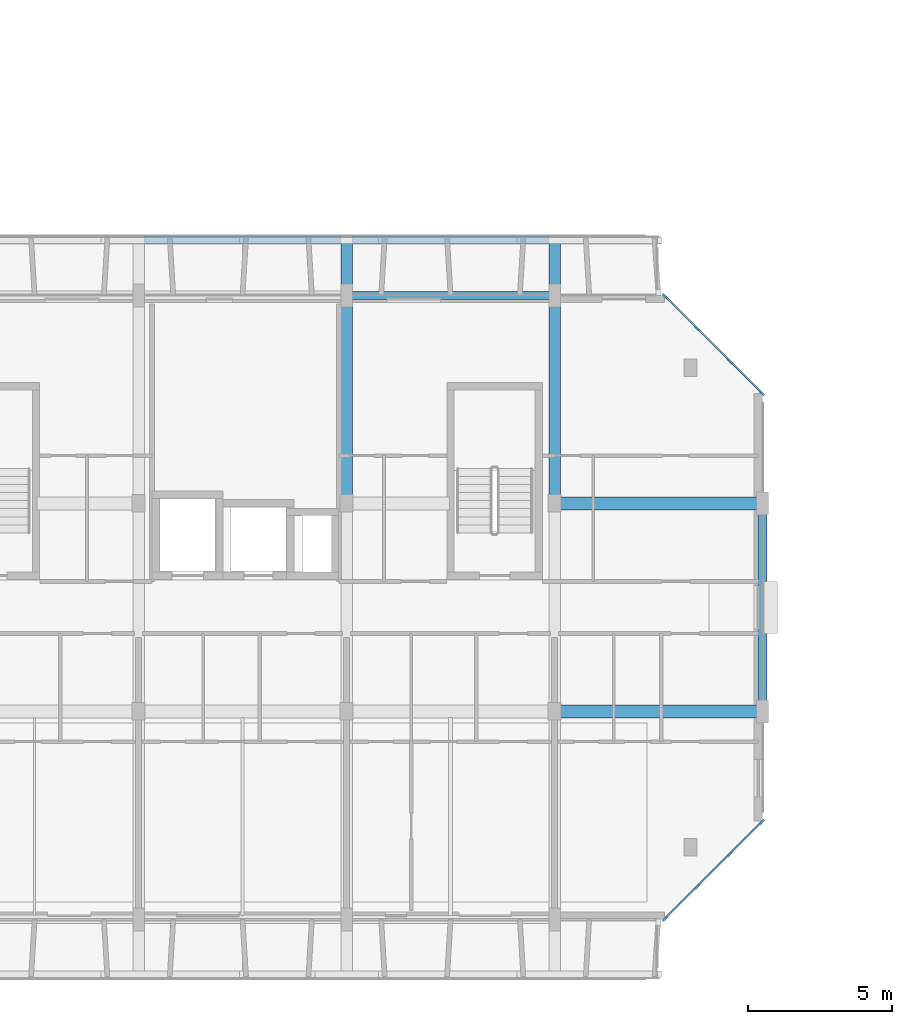
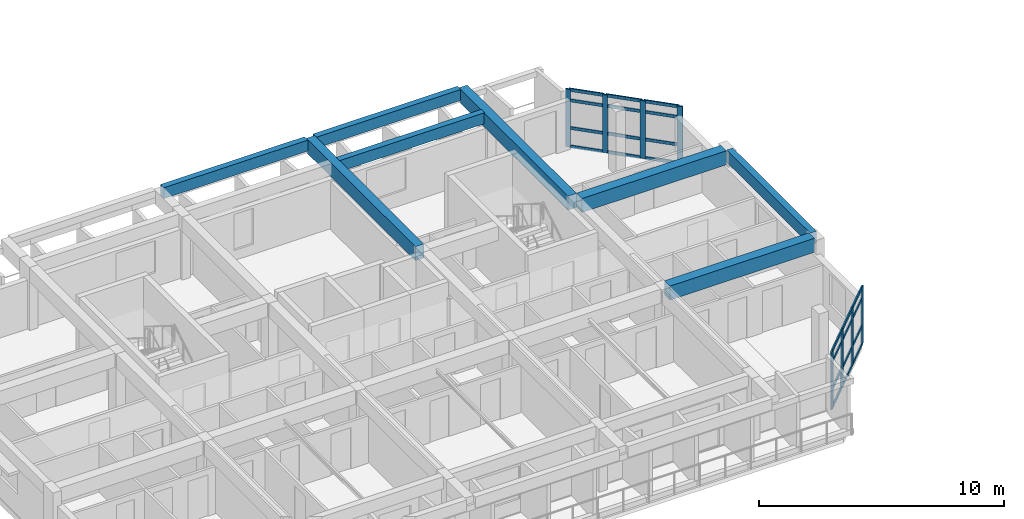
# One storey, part 4 of 46: 32 members, 8 beams, 2 elements without a shape of their own.
"""IFC4 building model written with IfcOpenShell, lengths in metres."""

from ifc_helpers import new_model, si_unit, direction, frame, origin, origin_2d, place, context, subcontext, project, spatial, rectangle, extrude, material, layer, layer_set, material_profile, profile_set, type_object, element, aggregate, save


model = new_model("IFC4")

# Units and contexts
model_context = context("Model", 3, precision=1e-05, world=origin(), true_north=direction((0.0, 1.0)))
body_context = subcontext(model_context, "Body", "Model", "MODEL_VIEW")
ifc_project = project(units=[si_unit("LENGTHUNIT", "METRE"), si_unit("AREAUNIT", "SQUARE_METRE"), si_unit("VOLUMEUNIT", "CUBIC_METRE"), si_unit("PLANEANGLEUNIT", "RADIAN"), si_unit("MASSUNIT", "GRAM", prefix="KILO")], contexts=[model_context])

# Site, building, storey
site_placement = place(None, origin())
site = spatial("IfcSite", under=ifc_project, at=site_placement, CompositionType="ELEMENT")
building_placement = place(site_placement, origin())
building = spatial("IfcBuilding", under=site, at=building_placement, Name="Ochrevale Crest", CompositionType="ELEMENT")
storey_placement = place(building_placement, frame((0.0, 0.0, 24.449951171875)))
storey = spatial("IfcBuildingStorey", under=building, at=storey_placement, Name="L07", CompositionType="ELEMENT", Elevation=24.449951171875)

# Beams
ifc_material_1 = material(Name="Precast concrete C50/60", Category="concrete")
ifc_material_profile_1 = material_profile(ifc_material_1, rectangle(XDim=0.39990234375, YDim=0.699951171875, at=origin_2d()), Name="PC 400x700")
ifc_profile_set_1 = profile_set([ifc_material_profile_1], Name="Precast concrete C50/60")
beam_type_1 = type_object("IfcBeamType", Name="BM-PC400x700", PredefinedType="BEAM", material=ifc_profile_set_1)
for number, where, z_axis, x_axis, name in (
    (1, (21.60009765625, 29.0048828125, 2.800048828125), (0.0, 1.0, 0.0), (-1.0, 0.0, 0.0), "Block A L07 N-S beam X=21.6"),
    (2, (28.800048828125, 29.0048828125, 2.800048828125), (0.0, 1.0, 0.0), (-1.0, 0.0, 0.0), "Block A L07 N-S beam X=28.8"),
):
    element("IfcBeam", number, at=place(storey_placement, frame(where, z_axis=z_axis, x_axis=x_axis)), inside=storey, type_object=beam_type_1, Name=name, PredefinedType="BEAM", context=body_context, shape_type="SweptSolid", body=[
        extrude(rectangle(XDim=0.39990234375, YDim=0.699951171875, at=origin_2d()), origin(), (0.0, 0.0, 1.0), 8.9150390625),
    ])
ifc_material_2 = material(Name="Concrete C50/60", Category="concrete")
ifc_material_profile_2 = material_profile(ifc_material_2, rectangle(XDim=0.449951171875, YDim=0.699951171875, at=origin_2d()), Name="RC 450x700")
ifc_profile_set_2 = profile_set([ifc_material_profile_2], Name="Concrete C50/60")
beam_type_2 = type_object("IfcBeamType", Name="BM-PG450x700", PredefinedType="USERDEFINED", material=ifc_profile_set_2)
for number, where, z_axis, x_axis, name in (
    (3, (29.0, 21.60009765625, 2.800048828125), (1.0, 0.0, 0.0), (0.0, 1.0, 0.0), "Block A L07 E-W beam Y=21.6"),
    (4, (29.0, 28.800048828125, 2.800048828125), (1.0, 0.0, 0.0), (0.0, 1.0, 0.0), "Block A L07 E-W beam Y=28.8"),
):
    element("IfcBeam", number, at=place(storey_placement, frame(where, z_axis=z_axis, x_axis=x_axis)), inside=storey, type_object=beam_type_2, Name=name, ObjectType="GIRDER", PredefinedType="USERDEFINED", context=body_context, shape_type="SweptSolid", body=[
        extrude(rectangle(XDim=0.449951171875, YDim=0.699951171875, at=origin_2d()), origin(), (0.0, 0.0, 1.0), 6.824951171875),
    ])
ifc_material_3 = material(Name="Precast concrete C40/50", Category="concrete")
ifc_material_profile_3 = material_profile(ifc_material_3, rectangle(XDim=0.280029296875, YDim=0.550048828125, at=origin_2d()), Name="PC 280x550")
ifc_profile_set_3 = profile_set([ifc_material_profile_3], Name="Precast concrete C40/50")
beam_type_3 = type_object("IfcBeamType", Name="BM-SP280x550", PredefinedType="SPANDREL", material=ifc_profile_set_3)
beam_1_placement = place(storey_placement, frame((21.77490234375, 36.0, 2.875), z_axis=(1.0, 0.0, 0.0), x_axis=(0.0, 1.0, 0.0)))
element("IfcBeam", 5, at=beam_1_placement, inside=storey, type_object=beam_type_3, Name="Block A L07 E-W beam Y=36.0", PredefinedType="SPANDREL", context=body_context, shape_type="SweptSolid", body=[
    extrude(rectangle(XDim=0.280029296875, YDim=0.550048828125, at=origin_2d()), origin(), (0.0, 0.0, 1.0), 6.85009765625),
])
for number, where, z_axis, x_axis, name in (
    (6, (14.60498046875, 37.919921875, 2.875), (1.0, 0.0, 0.0), (0.0, 1.0, 0.0), "Block A L07 top-loggia precast ring lintel N-2"),
    (7, (21.804931640625, 37.919921875, 2.875), (1.0, 0.0, 0.0), (0.0, 1.0, 0.0), "Block A L07 top-loggia precast ring lintel N-3"),
):
    element("IfcBeam", number, at=place(storey_placement, frame(where, z_axis=z_axis, x_axis=x_axis)), inside=storey, type_object=beam_type_3, Name=name, PredefinedType="SPANDREL", context=body_context, shape_type="SweptSolid", body=[
        extrude(rectangle(XDim=0.280029296875, YDim=0.550048828125, at=origin_2d()), origin(), (0.0, 0.0, 1.0), 6.7900390625),
    ])
ifc_material_profile_4 = material_profile(ifc_material_3, rectangle(XDim=0.300048828125, YDim=0.60009765625, at=origin_2d()), Name="PC 300x600")
ifc_profile_set_4 = profile_set([ifc_material_profile_4], Name="Precast concrete C40/50")
beam_type_4 = type_object("IfcBeamType", Name="BM-SP300x600", PredefinedType="SPANDREL", material=ifc_profile_set_4)
beam_2_placement = place(storey_placement, frame((36.0, 21.780029296875, 2.85009765625), z_axis=(0.0, 1.0, 0.0), x_axis=(-1.0, 0.0, 0.0)))
element("IfcBeam", 8, at=beam_2_placement, inside=storey, type_object=beam_type_4, Name="Block A L07 N-S beam X=36.0", PredefinedType="SPANDREL", context=body_context, shape_type="SweptSolid", body=[
    extrude(rectangle(XDim=0.300048828125, YDim=0.60009765625, at=origin_2d()), origin(), (0.0, 0.0, 1.0), 6.840087890625),
])

# Curtain wall, members
ifc_material_4 = material(Name="Anodised aluminium 6063-T5", Category="aluminium")
ifc_layer_1 = layer(ifc_material_4, 0.14990234375)
ifc_layer_set_1 = layer_set([ifc_layer_1], Name="Anodised aluminium 6063-T5")
curtain_wall_type_1 = type_object("IfcCurtainWallType", Name="CW-WG-420x285", PredefinedType="NOTDEFINED", material=ifc_layer_set_1)
curtain_wall_1_placement = place(storey_placement, origin())
curtain_wall_1 = element("IfcCurtainWall", 9, at=curtain_wall_1_placement, inside=storey, type_object=curtain_wall_type_1, Name="Block A L07 chamfered corner wintergarden curtain wall 2", PredefinedType="NOTDEFINED")
ifc_material_profile_5 = material_profile(ifc_material_4, rectangle(XDim=0.074951171875, YDim=0.219970703125, at=origin_2d()), Name="ALU 75x220")
ifc_profile_set_5 = profile_set([ifc_material_profile_5], Name="Anodised aluminium 6063-T5")
member_type_1 = type_object("IfcMemberType", Name="CW-MUL-75x220", PredefinedType="MULLION", material=ifc_profile_set_5)
member_1_placement = place(storey_placement, frame((32.62646484375, 14.426513671875, 0.0), z_axis=(0.0, 0.0, 1.0), x_axis=(-0.707106781187, 0.707106781187, 0.0)))
member_1 = element("IfcMember", 10, at=member_1_placement, type_object=member_type_1, Name="CW22 mullion 1", PredefinedType="MULLION", context=body_context, shape_type="SweptSolid", body=[
    extrude(rectangle(XDim=0.074951171875, YDim=0.219970703125, at=origin_2d()), origin(), (0.0, 0.0, 1.0), 2.875),
])
member_2_placement = place(storey_placement, frame((33.7333984375, 15.533447265625, 0.0), z_axis=(0.0, 0.0, 1.0), x_axis=(-0.707106781187, 0.707106781187, 0.0)))
member_2 = element("IfcMember", 11, at=member_2_placement, type_object=member_type_1, Name="CW22 mullion 2", PredefinedType="MULLION", context=body_context, shape_type="SweptSolid", body=[
    extrude(rectangle(XDim=0.074951171875, YDim=0.219970703125, at=origin_2d()), origin(), (0.0, 0.0, 1.0), 2.875),
])
member_3_placement = place(storey_placement, frame((34.86669921875, 16.666748046875, 0.0), z_axis=(0.0, 0.0, 1.0), x_axis=(-0.707106781187, 0.707106781187, 0.0)))
member_3 = element("IfcMember", 12, at=member_3_placement, type_object=member_type_1, Name="CW22 mullion 3", PredefinedType="MULLION", context=body_context, shape_type="SweptSolid", body=[
    extrude(rectangle(XDim=0.074951171875, YDim=0.219970703125, at=origin_2d()), origin(), (0.0, 0.0, 1.0), 2.875),
])
member_4_placement = place(storey_placement, frame((35.973388671875, 17.7734375, 0.0), z_axis=(0.0, 0.0, 1.0), x_axis=(-0.707106781187, 0.707106781187, 0.0)))
member_4 = element("IfcMember", 13, at=member_4_placement, type_object=member_type_1, Name="CW22 mullion 4", PredefinedType="MULLION", context=body_context, shape_type="SweptSolid", body=[
    extrude(rectangle(XDim=0.074951171875, YDim=0.219970703125, at=origin_2d()), origin(), (0.0, 0.0, 1.0), 2.875),
])

ifc_layer_2 = layer(ifc_material_4, 0.14990234375)
ifc_layer_set_2 = layer_set([ifc_layer_2], Name="Anodised aluminium 6063-T5")
curtain_wall_type_2 = type_object("IfcCurtainWallType", Name="CW-WG-280x285", PredefinedType="NOTDEFINED", material=ifc_layer_set_2)
curtain_wall_2_placement = place(storey_placement, origin())
curtain_wall_2 = element("IfcCurtainWall", 14, at=curtain_wall_2_placement, inside=storey, type_object=curtain_wall_type_2, Name="Block A L07 chamfered corner wintergarden curtain wall 4", PredefinedType="NOTDEFINED")
member_5_placement = place(storey_placement, frame((35.973388671875, 32.62646484375, 0.0), z_axis=(0.0, 0.0, 1.0), x_axis=(-0.707106781187, -0.707106781187, 0.0)))
member_5 = element("IfcMember", 15, at=member_5_placement, type_object=member_type_1, Name="CW16 mullion 1", PredefinedType="MULLION", context=body_context, shape_type="SweptSolid", body=[
    extrude(rectangle(XDim=0.074951171875, YDim=0.219970703125, at=origin_2d()), origin(), (0.0, 0.0, 1.0), 2.875),
])
member_6_placement = place(storey_placement, frame((34.86669921875, 33.7333984375, 0.0), z_axis=(0.0, 0.0, 1.0), x_axis=(-0.707106781187, -0.707106781187, 0.0)))
member_6 = element("IfcMember", 16, at=member_6_placement, type_object=member_type_1, Name="CW16 mullion 2", PredefinedType="MULLION", context=body_context, shape_type="SweptSolid", body=[
    extrude(rectangle(XDim=0.074951171875, YDim=0.219970703125, at=origin_2d()), origin(), (0.0, 0.0, 1.0), 2.875),
])
member_7_placement = place(storey_placement, frame((33.7333984375, 34.86669921875, 0.0), z_axis=(0.0, 0.0, 1.0), x_axis=(-0.707106781187, -0.707106781187, 0.0)))
member_7 = element("IfcMember", 17, at=member_7_placement, type_object=member_type_1, Name="CW16 mullion 3", PredefinedType="MULLION", context=body_context, shape_type="SweptSolid", body=[
    extrude(rectangle(XDim=0.074951171875, YDim=0.219970703125, at=origin_2d()), origin(), (0.0, 0.0, 1.0), 2.875),
])
member_8_placement = place(storey_placement, frame((32.62646484375, 35.973388671875, 0.0), z_axis=(0.0, 0.0, 1.0), x_axis=(-0.707106781187, -0.707106781187, 0.0)))
member_8 = element("IfcMember", 18, at=member_8_placement, type_object=member_type_1, Name="CW16 mullion 4", PredefinedType="MULLION", context=body_context, shape_type="SweptSolid", body=[
    extrude(rectangle(XDim=0.074951171875, YDim=0.219970703125, at=origin_2d()), origin(), (0.0, 0.0, 1.0), 2.875),
])

# Member
ifc_material_profile_6 = material_profile(ifc_material_4, rectangle(XDim=0.06005859375, YDim=0.14990234375, at=origin_2d()), Name="ALU 60x150")
ifc_profile_set_6 = profile_set([ifc_material_profile_6], Name="Anodised aluminium 6063-T5")
member_type_2 = type_object("IfcMemberType", Name="CW-TRN-60x150", PredefinedType="USERDEFINED", material=ifc_profile_set_6)
member_9_placement = place(storey_placement, frame((32.653076171875, 14.453125, 0.030029296875), z_axis=(0.707106781187, 0.707106781187, 0.0), x_axis=(-0.707106781187, 0.707106781187, 0.0)))
member_9 = element("IfcMember", 19, at=member_9_placement, type_object=member_type_2, Name="CW22 transom 1.1", ObjectType="TRANSOM", PredefinedType="USERDEFINED", context=body_context, shape_type="SweptSolid", body=[
    extrude(rectangle(XDim=0.06005859375, YDim=0.14990234375, at=origin_2d()), origin(), (0.0, 0.0, 1.0), 1.490234375),
])

member_10_placement = place(storey_placement, frame((32.653076171875, 14.453125, 0.949951171875), z_axis=(0.707106781187, 0.707106781187, 0.0), x_axis=(-0.707106781187, 0.707106781187, 0.0)))
member_10 = element("IfcMember", 20, at=member_10_placement, type_object=member_type_2, Name="CW22 transom 1.2", ObjectType="TRANSOM", PredefinedType="USERDEFINED", context=body_context, shape_type="SweptSolid", body=[
    extrude(rectangle(XDim=0.06005859375, YDim=0.14990234375, at=origin_2d()), origin(), (0.0, 0.0, 1.0), 1.490234375),
])

member_11_placement = place(storey_placement, frame((32.653076171875, 14.453125, 2.324951171875), z_axis=(0.707106781187, 0.707106781187, 0.0), x_axis=(-0.707106781187, 0.707106781187, 0.0)))
member_11 = element("IfcMember", 21, at=member_11_placement, type_object=member_type_2, Name="CW22 transom 1.3", ObjectType="TRANSOM", PredefinedType="USERDEFINED", context=body_context, shape_type="SweptSolid", body=[
    extrude(rectangle(XDim=0.06005859375, YDim=0.14990234375, at=origin_2d()), origin(), (0.0, 0.0, 1.0), 1.490234375),
])

member_12_placement = place(storey_placement, frame((32.653076171875, 14.453125, 2.844970703125), z_axis=(0.707106781187, 0.707106781187, 0.0), x_axis=(-0.707106781187, 0.707106781187, 0.0)))
member_12 = element("IfcMember", 22, at=member_12_placement, type_object=member_type_2, Name="CW22 transom 1.4", ObjectType="TRANSOM", PredefinedType="USERDEFINED", context=body_context, shape_type="SweptSolid", body=[
    extrude(rectangle(XDim=0.06005859375, YDim=0.14990234375, at=origin_2d()), origin(), (0.0, 0.0, 1.0), 1.490234375),
])

member_13_placement = place(storey_placement, frame((33.759765625, 15.559814453125, 0.030029296875), z_axis=(0.707106781187, 0.707106781187, 0.0), x_axis=(-0.707106781187, 0.707106781187, 0.0)))
member_13 = element("IfcMember", 23, at=member_13_placement, type_object=member_type_2, Name="CW22 transom 2.1", ObjectType="TRANSOM", PredefinedType="USERDEFINED", context=body_context, shape_type="SweptSolid", body=[
    extrude(rectangle(XDim=0.06005859375, YDim=0.14990234375, at=origin_2d()), origin(), (0.0, 0.0, 1.0), 1.52783203125),
])

member_14_placement = place(storey_placement, frame((33.759765625, 15.559814453125, 0.949951171875), z_axis=(0.707106781187, 0.707106781187, 0.0), x_axis=(-0.707106781187, 0.707106781187, 0.0)))
member_14 = element("IfcMember", 24, at=member_14_placement, type_object=member_type_2, Name="CW22 transom 2.2", ObjectType="TRANSOM", PredefinedType="USERDEFINED", context=body_context, shape_type="SweptSolid", body=[
    extrude(rectangle(XDim=0.06005859375, YDim=0.14990234375, at=origin_2d()), origin(), (0.0, 0.0, 1.0), 1.52783203125),
])

member_15_placement = place(storey_placement, frame((33.759765625, 15.559814453125, 2.324951171875), z_axis=(0.707106781187, 0.707106781187, 0.0), x_axis=(-0.707106781187, 0.707106781187, 0.0)))
member_15 = element("IfcMember", 25, at=member_15_placement, type_object=member_type_2, Name="CW22 transom 2.3", ObjectType="TRANSOM", PredefinedType="USERDEFINED", context=body_context, shape_type="SweptSolid", body=[
    extrude(rectangle(XDim=0.06005859375, YDim=0.14990234375, at=origin_2d()), origin(), (0.0, 0.0, 1.0), 1.52783203125),
])

member_16_placement = place(storey_placement, frame((33.759765625, 15.559814453125, 2.844970703125), z_axis=(0.707106781187, 0.707106781187, 0.0), x_axis=(-0.707106781187, 0.707106781187, 0.0)))
member_16 = element("IfcMember", 26, at=member_16_placement, type_object=member_type_2, Name="CW22 transom 2.4", ObjectType="TRANSOM", PredefinedType="USERDEFINED", context=body_context, shape_type="SweptSolid", body=[
    extrude(rectangle(XDim=0.06005859375, YDim=0.14990234375, at=origin_2d()), origin(), (0.0, 0.0, 1.0), 1.52783203125),
])

member_17_placement = place(storey_placement, frame((34.89306640625, 16.693115234375, 0.030029296875), z_axis=(0.707106781187, 0.707106781187, 0.0), x_axis=(-0.707106781187, 0.707106781187, 0.0)))
member_17 = element("IfcMember", 27, at=member_17_placement, type_object=member_type_2, Name="CW22 transom 3.1", ObjectType="TRANSOM", PredefinedType="USERDEFINED", context=body_context, shape_type="SweptSolid", body=[
    extrude(rectangle(XDim=0.06005859375, YDim=0.14990234375, at=origin_2d()), origin(), (0.0, 0.0, 1.0), 1.490478515625),
])

member_18_placement = place(storey_placement, frame((34.89306640625, 16.693115234375, 0.949951171875), z_axis=(0.707106781187, 0.707106781187, 0.0), x_axis=(-0.707106781187, 0.707106781187, 0.0)))
member_18 = element("IfcMember", 28, at=member_18_placement, type_object=member_type_2, Name="CW22 transom 3.2", ObjectType="TRANSOM", PredefinedType="USERDEFINED", context=body_context, shape_type="SweptSolid", body=[
    extrude(rectangle(XDim=0.06005859375, YDim=0.14990234375, at=origin_2d()), origin(), (0.0, 0.0, 1.0), 1.490478515625),
])

member_19_placement = place(storey_placement, frame((34.89306640625, 16.693115234375, 2.324951171875), z_axis=(0.707106781187, 0.707106781187, 0.0), x_axis=(-0.707106781187, 0.707106781187, 0.0)))
member_19 = element("IfcMember", 29, at=member_19_placement, type_object=member_type_2, Name="CW22 transom 3.3", ObjectType="TRANSOM", PredefinedType="USERDEFINED", context=body_context, shape_type="SweptSolid", body=[
    extrude(rectangle(XDim=0.06005859375, YDim=0.14990234375, at=origin_2d()), origin(), (0.0, 0.0, 1.0), 1.490478515625),
])

member_20_placement = place(storey_placement, frame((34.89306640625, 16.693115234375, 2.844970703125), z_axis=(0.707106781187, 0.707106781187, 0.0), x_axis=(-0.707106781187, 0.707106781187, 0.0)))
member_20 = element("IfcMember", 30, at=member_20_placement, type_object=member_type_2, Name="CW22 transom 3.4", ObjectType="TRANSOM", PredefinedType="USERDEFINED", context=body_context, shape_type="SweptSolid", body=[
    extrude(rectangle(XDim=0.06005859375, YDim=0.14990234375, at=origin_2d()), origin(), (0.0, 0.0, 1.0), 1.490478515625),
])

aggregate(curtain_wall_1, [member_1, member_2, member_3, member_4, member_9, member_10, member_11, member_12, member_13, member_14, member_15, member_16, member_17, member_18, member_19, member_20])

member_21_placement = place(storey_placement, frame((35.947021484375, 32.653076171875, 0.030029296875), z_axis=(-0.707188683865, 0.70702486902, 0.0), x_axis=(-0.70702486902, -0.707188683865, 0.0)))
member_21 = element("IfcMember", 31, at=member_21_placement, type_object=member_type_2, Name="CW16 transom 1.1", ObjectType="TRANSOM", PredefinedType="USERDEFINED", context=body_context, shape_type="SweptSolid", body=[
    extrude(rectangle(XDim=0.06005859375, YDim=0.14990234375, at=origin_2d()), origin(), (0.0, 0.0, 1.0), 1.490234375),
])

member_22_placement = place(storey_placement, frame((35.947021484375, 32.653076171875, 0.949951171875), z_axis=(-0.707188683865, 0.70702486902, 0.0), x_axis=(-0.70702486902, -0.707188683865, 0.0)))
member_22 = element("IfcMember", 32, at=member_22_placement, type_object=member_type_2, Name="CW16 transom 1.2", ObjectType="TRANSOM", PredefinedType="USERDEFINED", context=body_context, shape_type="SweptSolid", body=[
    extrude(rectangle(XDim=0.06005859375, YDim=0.14990234375, at=origin_2d()), origin(), (0.0, 0.0, 1.0), 1.490234375),
])

member_23_placement = place(storey_placement, frame((35.947021484375, 32.653076171875, 2.324951171875), z_axis=(-0.707188683865, 0.70702486902, 0.0), x_axis=(-0.70702486902, -0.707188683865, 0.0)))
member_23 = element("IfcMember", 33, at=member_23_placement, type_object=member_type_2, Name="CW16 transom 1.3", ObjectType="TRANSOM", PredefinedType="USERDEFINED", context=body_context, shape_type="SweptSolid", body=[
    extrude(rectangle(XDim=0.06005859375, YDim=0.14990234375, at=origin_2d()), origin(), (0.0, 0.0, 1.0), 1.490234375),
])

member_24_placement = place(storey_placement, frame((35.947021484375, 32.653076171875, 2.844970703125), z_axis=(-0.707188683865, 0.70702486902, 0.0), x_axis=(-0.70702486902, -0.707188683865, 0.0)))
member_24 = element("IfcMember", 34, at=member_24_placement, type_object=member_type_2, Name="CW16 transom 1.4", ObjectType="TRANSOM", PredefinedType="USERDEFINED", context=body_context, shape_type="SweptSolid", body=[
    extrude(rectangle(XDim=0.06005859375, YDim=0.14990234375, at=origin_2d()), origin(), (0.0, 0.0, 1.0), 1.490234375),
])

member_25_placement = place(storey_placement, frame((34.840087890625, 33.759765625, 0.030029296875), z_axis=(-0.707106781187, 0.707106781187, 0.0), x_axis=(-0.707106781187, -0.707106781187, 0.0)))
member_25 = element("IfcMember", 35, at=member_25_placement, type_object=member_type_2, Name="CW16 transom 2.1", ObjectType="TRANSOM", PredefinedType="USERDEFINED", context=body_context, shape_type="SweptSolid", body=[
    extrude(rectangle(XDim=0.06005859375, YDim=0.14990234375, at=origin_2d()), origin(), (0.0, 0.0, 1.0), 1.52783203125),
])

member_26_placement = place(storey_placement, frame((34.840087890625, 33.759765625, 0.949951171875), z_axis=(-0.707106781187, 0.707106781187, 0.0), x_axis=(-0.707106781187, -0.707106781187, 0.0)))
member_26 = element("IfcMember", 36, at=member_26_placement, type_object=member_type_2, Name="CW16 transom 2.2", ObjectType="TRANSOM", PredefinedType="USERDEFINED", context=body_context, shape_type="SweptSolid", body=[
    extrude(rectangle(XDim=0.06005859375, YDim=0.14990234375, at=origin_2d()), origin(), (0.0, 0.0, 1.0), 1.52783203125),
])

member_27_placement = place(storey_placement, frame((34.840087890625, 33.759765625, 2.324951171875), z_axis=(-0.707106781187, 0.707106781187, 0.0), x_axis=(-0.707106781187, -0.707106781187, 0.0)))
member_27 = element("IfcMember", 37, at=member_27_placement, type_object=member_type_2, Name="CW16 transom 2.3", ObjectType="TRANSOM", PredefinedType="USERDEFINED", context=body_context, shape_type="SweptSolid", body=[
    extrude(rectangle(XDim=0.06005859375, YDim=0.14990234375, at=origin_2d()), origin(), (0.0, 0.0, 1.0), 1.52783203125),
])

member_28_placement = place(storey_placement, frame((34.840087890625, 33.759765625, 2.844970703125), z_axis=(-0.707106781187, 0.707106781187, 0.0), x_axis=(-0.707106781187, -0.707106781187, 0.0)))
member_28 = element("IfcMember", 38, at=member_28_placement, type_object=member_type_2, Name="CW16 transom 2.4", ObjectType="TRANSOM", PredefinedType="USERDEFINED", context=body_context, shape_type="SweptSolid", body=[
    extrude(rectangle(XDim=0.06005859375, YDim=0.14990234375, at=origin_2d()), origin(), (0.0, 0.0, 1.0), 1.52783203125),
])

member_29_placement = place(storey_placement, frame((33.706787109375, 34.89306640625, 0.030029296875), z_axis=(-0.70702486902, 0.707188683865, 0.0), x_axis=(-0.707188683865, -0.70702486902, 0.0)))
member_29 = element("IfcMember", 39, at=member_29_placement, type_object=member_type_2, Name="CW16 transom 3.1", ObjectType="TRANSOM", PredefinedType="USERDEFINED", context=body_context, shape_type="SweptSolid", body=[
    extrude(rectangle(XDim=0.06005859375, YDim=0.14990234375, at=origin_2d()), origin(), (0.0, 0.0, 1.0), 1.490234375),
])

member_30_placement = place(storey_placement, frame((33.706787109375, 34.89306640625, 0.949951171875), z_axis=(-0.70702486902, 0.707188683865, 0.0), x_axis=(-0.707188683865, -0.70702486902, 0.0)))
member_30 = element("IfcMember", 40, at=member_30_placement, type_object=member_type_2, Name="CW16 transom 3.2", ObjectType="TRANSOM", PredefinedType="USERDEFINED", context=body_context, shape_type="SweptSolid", body=[
    extrude(rectangle(XDim=0.06005859375, YDim=0.14990234375, at=origin_2d()), origin(), (0.0, 0.0, 1.0), 1.490234375),
])

member_31_placement = place(storey_placement, frame((33.706787109375, 34.89306640625, 2.324951171875), z_axis=(-0.70702486902, 0.707188683865, 0.0), x_axis=(-0.707188683865, -0.70702486902, 0.0)))
member_31 = element("IfcMember", 41, at=member_31_placement, type_object=member_type_2, Name="CW16 transom 3.3", ObjectType="TRANSOM", PredefinedType="USERDEFINED", context=body_context, shape_type="SweptSolid", body=[
    extrude(rectangle(XDim=0.06005859375, YDim=0.14990234375, at=origin_2d()), origin(), (0.0, 0.0, 1.0), 1.490234375),
])

member_32_placement = place(storey_placement, frame((33.706787109375, 34.89306640625, 2.844970703125), z_axis=(-0.70702486902, 0.707188683865, 0.0), x_axis=(-0.707188683865, -0.70702486902, 0.0)))
member_32 = element("IfcMember", 42, at=member_32_placement, type_object=member_type_2, Name="CW16 transom 3.4", ObjectType="TRANSOM", PredefinedType="USERDEFINED", context=body_context, shape_type="SweptSolid", body=[
    extrude(rectangle(XDim=0.06005859375, YDim=0.14990234375, at=origin_2d()), origin(), (0.0, 0.0, 1.0), 1.490234375),
])

aggregate(curtain_wall_2, [member_5, member_6, member_7, member_8, member_21, member_22, member_23, member_24, member_25, member_26, member_27, member_28, member_29, member_30, member_31, member_32])

save(model, "model.ifc")
